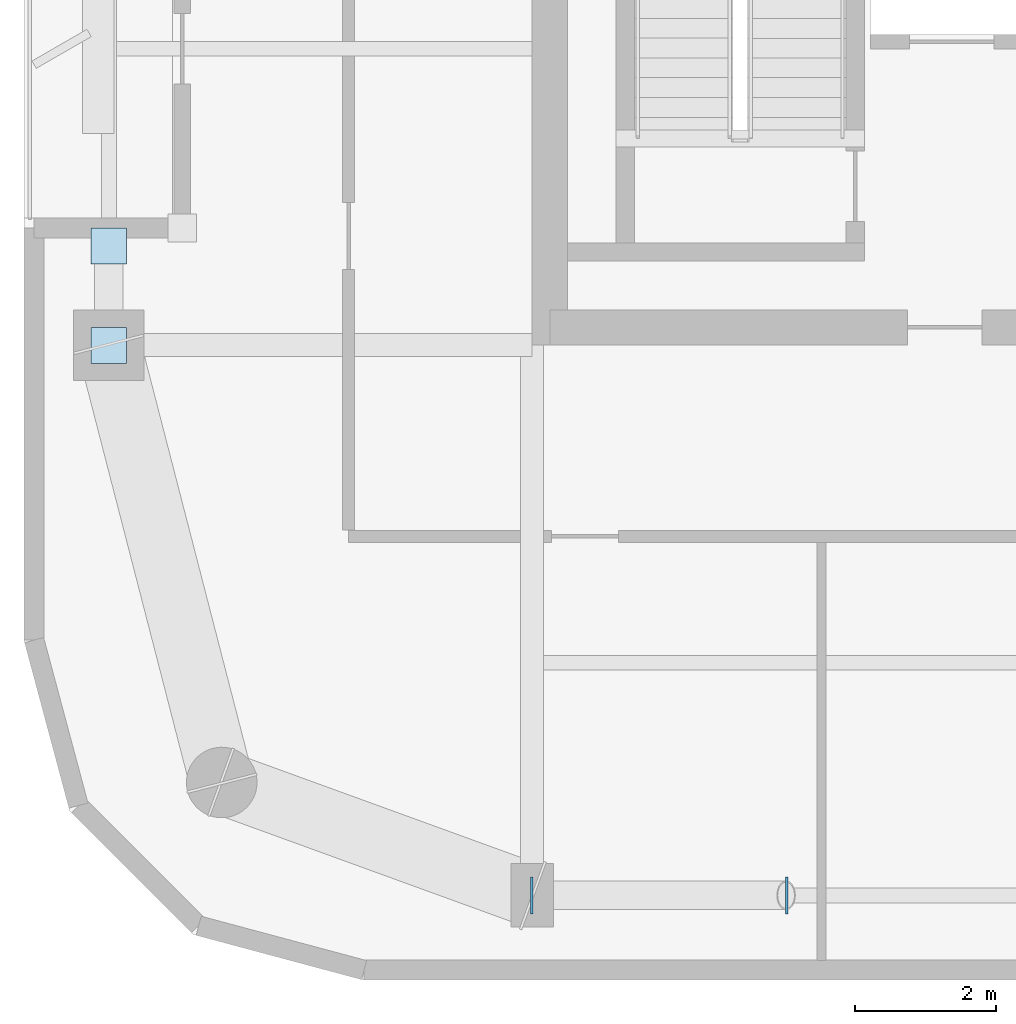
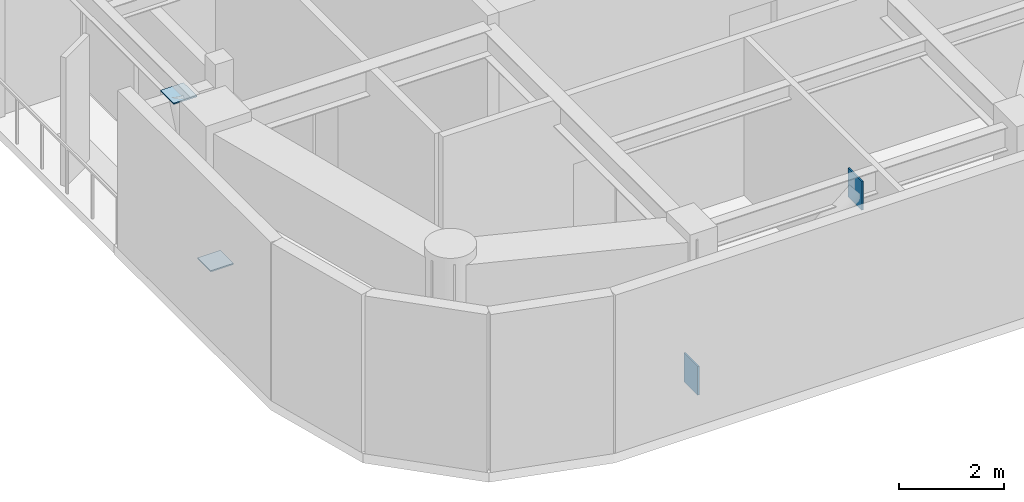
# One storey, part 8 of 15: 4 plates.
"""IFC4 building model written with IfcOpenShell, lengths in metres."""

import ifcopenshell
import ifcopenshell.guid

model = None  # the IFC model being written
_history = None  # IfcOwnerHistory: only IFC2X3 demands one
_inside = {}  # id of a spatial element -> (the spatial element, [elements in it])
_under = {}  # id of a project, library or spatial element -> (it, [spatial elements below it])
_declared = {}  # id of a project -> (the project, [libraries it declares])
_typed = {}  # id of a type object -> (the type object, [elements of that type])
_made_of = {}  # id of a material, layer set ... -> (it, [elements and type objects made of it])


def new_model(schema):
    """Start an empty IFC model of exactly this schema.

    Asked for "IFC4X3", IfcOpenShell would pick the latest addendum, in which some entities
    have other attributes; the version numbers below select the first issue.
    IFC2X3 requires an IfcOwnerHistory on every rooted entity: one is made here for all.
    """
    global model, _history
    if schema == "IFC4X3":
        model = ifcopenshell.file(schema_version=(4, 3, 0, 0))
    else:
        model = ifcopenshell.file(schema=schema)
    _inside.clear()
    _under.clear()
    _declared.clear()
    _typed.clear()
    _made_of.clear()
    _history = None
    if model.schema == "IFC2X3":
        org = make("IfcOrganization", Name="unknown")
        user = make(
            "IfcPersonAndOrganization",
            ThePerson=make("IfcPerson", FamilyName="unknown"),
            TheOrganization=org,
        )
        app = make(
            "IfcApplication",
            ApplicationDeveloper=org,
            Version="unknown",
            ApplicationFullName="unknown",
            ApplicationIdentifier="unknown",
        )
        _history = make(
            "IfcOwnerHistory",
            OwningUser=user,
            OwningApplication=app,
            ChangeAction="ADDED",
            CreationDate=0,
        )
    return model


def make(cls, **values):
    """One entity of the class cls with the attributes given. An attribute that is None is left unset."""
    return model.create_entity(
        cls, **{name: value for name, value in values.items() if value is not None}
    )


def rooted(cls, **values):
    """An entity with a GlobalId (a new one), such as an element, a storey or a relation."""
    return make(cls, GlobalId=ifcopenshell.guid.new(), OwnerHistory=_history, **values)


def si_unit(unit_type, name, prefix=None):
    """IfcSIUnit, for example si_unit("LENGTHUNIT", "METRE", prefix="MILLI")."""
    return make("IfcSIUnit", UnitType=unit_type, Prefix=prefix, Name=name)


def assignment(units):
    """IfcUnitAssignment: the units of a project."""
    return None if units is None else make("IfcUnitAssignment", Units=units)


def point(xyz):
    """IfcCartesianPoint."""
    return None if xyz is None else make("IfcCartesianPoint", Coordinates=xyz)


def direction(xyz):
    """IfcDirection."""
    return None if xyz is None else make("IfcDirection", DirectionRatios=xyz)


def frame(location, z_axis=None, x_axis=None):
    """IfcAxis2Placement3D, a coordinate frame: its origin and axes. An axis left out is left unset."""
    return make(
        "IfcAxis2Placement3D",
        Location=point(location),
        Axis=direction(z_axis),
        RefDirection=direction(x_axis),
    )


def frame_2d(location, x_axis=None):
    """IfcAxis2Placement2D, a coordinate frame in the plane: its origin and x axis."""
    return make(
        "IfcAxis2Placement2D", Location=point(location), RefDirection=direction(x_axis)
    )


def origin():
    """The frame at (0, 0, 0) with its axes left unset."""
    return frame((0.0, 0.0, 0.0))


def origin_2d():
    """The frame at (0, 0) in the plane with its x axis left unset."""
    return frame_2d((0.0, 0.0))


def place(relative_to, where):
    """IfcLocalPlacement: puts the frame where relative to a parent placement (None: the world)."""
    return make(
        "IfcLocalPlacement", PlacementRelTo=relative_to, RelativePlacement=where
    )


def context(
    kind, dimensions, precision=None, world=None, true_north=None, identifier=None
):
    """IfcGeometricRepresentationContext, for example the 3D "Model" context."""
    return make(
        "IfcGeometricRepresentationContext",
        ContextIdentifier=identifier,
        ContextType=kind,
        CoordinateSpaceDimension=dimensions,
        Precision=precision,
        WorldCoordinateSystem=world,
        TrueNorth=true_north,
    )


def subcontext(parent, identifier, kind, view, scale=None):
    """IfcGeometricRepresentationSubContext, for example "Body" below "Model"."""
    return make(
        "IfcGeometricRepresentationSubContext",
        ContextIdentifier=identifier,
        ContextType=kind,
        ParentContext=parent,
        TargetScale=scale,
        TargetView=view,
    )


def project(units=None, contexts=None):
    """IfcProject with its units and contexts."""
    return rooted(
        "IfcProject",
        Name="project",
        RepresentationContexts=contexts,
        UnitsInContext=assignment(units),
    )


def spatial(cls, under=None, at=None, **own):
    """A site, building, storey or space (cls), placed at a placement, below another one or the project."""
    s = rooted(cls, ObjectPlacement=at, **own)
    if under is not None:
        _under.setdefault(under.id(), (under, []))[1].append(s)
    return s


def profile(cls, at=None, kind="AREA", **sizes):
    """A parametric profile (cls). Its sizes go by their IFC names, for example OverallWidth=200.0."""
    return make(cls, ProfileType=kind, Position=at, **sizes)


def rectangle(**sizes):
    """IfcRectangleProfileDef."""
    return profile("IfcRectangleProfileDef", **sizes)


def extrude(swept, where, along, depth):
    """IfcExtrudedAreaSolid: the profile swept, set in the frame where, extruded along a direction by depth."""
    return make(
        "IfcExtrudedAreaSolid",
        SweptArea=swept,
        Position=where,
        ExtrudedDirection=direction(along),
        Depth=depth,
    )


def shape(context_of_items, identifier, shape_type, items):
    """IfcShapeRepresentation: the items that make up one representation, for example the "Body"."""
    return make(
        "IfcShapeRepresentation",
        ContextOfItems=context_of_items,
        RepresentationIdentifier=identifier,
        RepresentationType=shape_type,
        Items=items,
    )


def material(Name=None, Category=None):
    """IfcMaterial."""
    return make("IfcMaterial", Name=Name, Category=Category)


def layer(
    of_material, thickness, ventilated=None, Name=None, Category=None, Priority=None
):
    """IfcMaterialLayer: one layer of a wall or slab, of a material (None: an air gap)."""
    return make(
        "IfcMaterialLayer",
        Material=of_material,
        LayerThickness=thickness,
        IsVentilated=ventilated,
        Name=Name,
        Category=Category,
        Priority=Priority,
    )


def layer_set(layers, Name=None):
    """IfcMaterialLayerSet."""
    return make("IfcMaterialLayerSet", MaterialLayers=layers, LayerSetName=Name)


def made_of(thing, what):
    """Note that an element or type object is made of a material, layer set ...; save() writes the relation."""
    if what is not None:
        _made_of.setdefault(what.id(), (what, []))[1].append(thing)
    return thing


def type_object(cls, material=None, **own):
    """A type object (cls), such as IfcWallType, which elements share."""
    return made_of(rooted(cls, **own), material)


def element(
    cls,
    number,
    at=None,
    inside=None,
    cuts=None,
    type_object=None,
    material=None,
    context=None,
    identifier="Body",
    shape_type=None,
    held_by="IfcProductDefinitionShape",
    body=None,
    shapes=None,
    **own,
):
    """One element of the class cls, such as IfcWall. Its Tag is "e" and its number.

    at: its placement. inside: the storey or other place that contains it. cuts: it is an
    opening in that element (IfcRelVoidsElement). A single representation is given by context,
    identifier, shape_type and body (its items); several are given by shapes. held_by: the class
    of the entity that holds the representations. save() writes the other relations.
    """
    e = rooted(cls, Tag="e%d" % number, ObjectPlacement=at, **own)
    if body is not None:
        shapes = [shape(context, identifier, shape_type, body)]
    if shapes is not None:
        e.Representation = make(held_by, Representations=shapes)
    if inside is not None:
        _inside.setdefault(inside.id(), (inside, []))[1].append(e)
    if cuts is not None:
        rooted(
            "IfcRelVoidsElement", RelatingBuildingElement=cuts, RelatedOpeningElement=e
        )
    if type_object is not None:
        _typed.setdefault(type_object.id(), (type_object, []))[1].append(e)
    return made_of(e, material)


def aggregate(whole, parts):
    """IfcRelAggregates: a whole, such as a stair, and the parts it consists of."""
    return rooted("IfcRelAggregates", RelatingObject=whole, RelatedObjects=parts)


def save(model, path):
    """Write the relations noted so far, then the file.

    IfcRelAggregates (storeys below a building ...), IfcRelContainedInSpatialStructure (elements
    in a storey), IfcRelDefinesByType, IfcRelAssociatesMaterial and IfcRelDeclares: one each for
    every whole, place, type object, material and project.
    """
    for whole, parts in _under.values():
        aggregate(whole, parts)
    for where, things in _inside.values():
        rooted(
            "IfcRelContainedInSpatialStructure",
            RelatedElements=things,
            RelatingStructure=where,
        )
    for kind, things in _typed.values():
        rooted("IfcRelDefinesByType", RelatedObjects=things, RelatingType=kind)
    for what, things in _made_of.values():
        rooted("IfcRelAssociatesMaterial", RelatedObjects=things, RelatingMaterial=what)
    for by, libraries in _declared.values():
        rooted("IfcRelDeclares", RelatingContext=by, RelatedDefinitions=libraries)
    model.write(path)


model = new_model("IFC4")

# Units and contexts
model_context = context("Model", 3, precision=1e-05, world=origin(), true_north=direction((0.0, 1.0)))
body_context = subcontext(model_context, "Body", "Model", "MODEL_VIEW")
ifc_project = project(units=[si_unit("LENGTHUNIT", "METRE"), si_unit("AREAUNIT", "SQUARE_METRE"), si_unit("VOLUMEUNIT", "CUBIC_METRE"), si_unit("PLANEANGLEUNIT", "RADIAN"), si_unit("MASSUNIT", "GRAM", prefix="KILO")], contexts=[model_context])

# Site, building, storey
site_placement = place(None, origin())
site = spatial("IfcSite", under=ifc_project, at=site_placement, CompositionType="ELEMENT")
building_placement = place(site_placement, origin())
building = spatial("IfcBuilding", under=site, at=building_placement, Name="Kiyonajd Concourse Tower", CompositionType="ELEMENT")
storey_placement = place(building_placement, frame((0.0, 0.0, 262.800048828125)))
storey = spatial("IfcBuildingStorey", under=building, at=storey_placement, Name="L66", CompositionType="ELEMENT", Elevation=262.800048828125)

# Plates
ifc_material = material(Name="Steel ASTM A572 Grade 50", Category="steel")
ifc_layer = layer(ifc_material, 0.028076171875)
ifc_layer_set = layer_set([ifc_layer], Name="Steel ASTM A572 Grade 50")
plate_type = type_object("IfcPlateType", Name="PL-CAP-450", PredefinedType="USERDEFINED", material=ifc_layer_set)
for number, where, z_axis, x_axis, name in (
    (1, (32.3916015625, 19.800048828125, -0.04248046875), (0.0, 0.0, 1.0), (-1.0, 0.0, 0.0), "L66 Hollow Brace End Cap Plate PBS"),
    (2, (36.00830078125, 19.800048828125, 3.001708984375), (0.0, 0.0, 1.0), (1.0, 0.0, 0.0), "L66 Hollow Brace Top Cap Plate PBS"),
):
    element("IfcPlate", number, at=place(storey_placement, frame(where, z_axis=z_axis, x_axis=x_axis)), inside=storey, type_object=plate_type, Name=name, ObjectType="CAP PLATE", PredefinedType="USERDEFINED", context=body_context, shape_type="SweptSolid", body=[
        extrude(rectangle(XDim=0.035888671875, YDim=0.52587890625, at=origin_2d()), origin(), (0.0, 0.0, 1.0), 0.6708984375),
    ])
for number, where, z_axis, x_axis, name in (
    (3, (26.39990234375, 27.595458984375, 0.27587890625), (0.0, 0.0, 1.0), (1.0, 0.0, 0.0), "L66 Hollow Brace End Cap Plate PBW"),
    (4, (26.39990234375, 29.004638671875, 3.32568359375), (0.0, 0.0, 1.0), (1.0, 0.0, 0.0), "L66 Hollow Brace Top Cap Plate PBW"),
):
    element("IfcPlate", number, at=place(storey_placement, frame(where, z_axis=z_axis, x_axis=x_axis)), inside=storey, type_object=plate_type, Name=name, ObjectType="CAP PLATE", PredefinedType="USERDEFINED", context=body_context, shape_type="SweptSolid", body=[
        extrude(rectangle(XDim=0.506103515625, YDim=0.506103515625, at=origin_2d()), origin(), (0.0, 0.0, 1.0), 0.028076171875),
    ])

save(model, "model.ifc")
